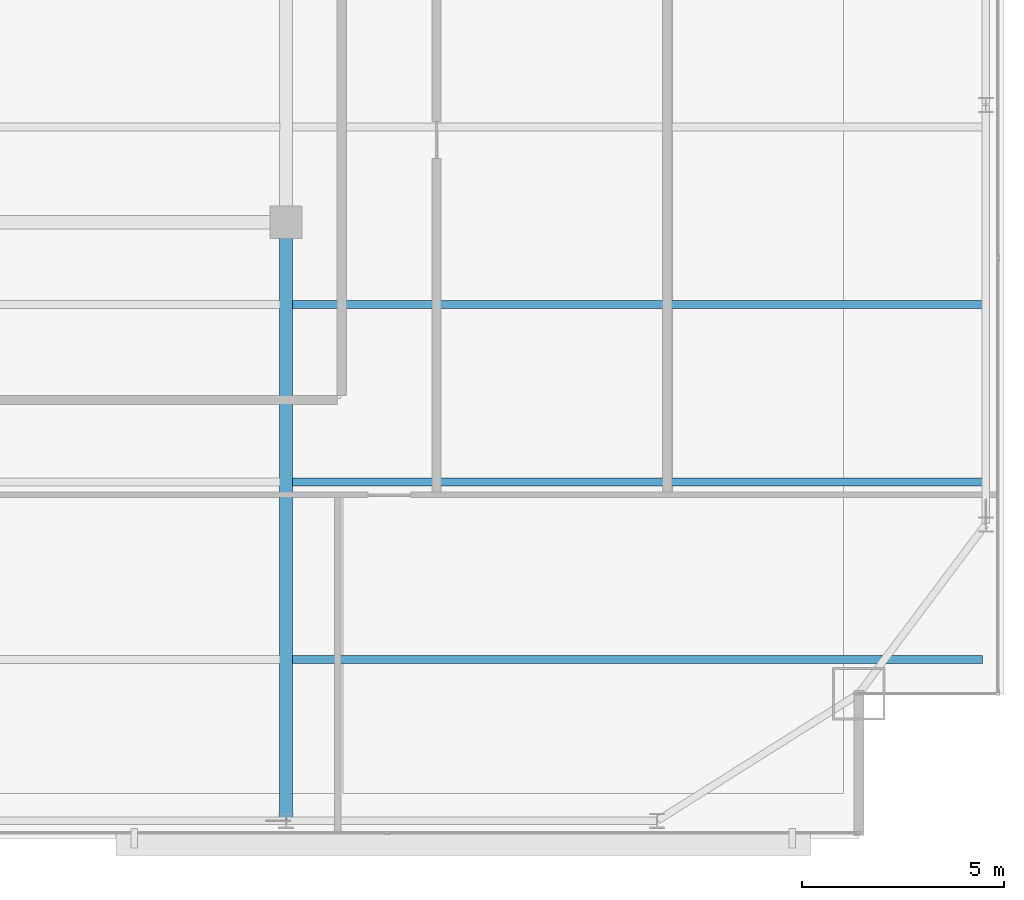
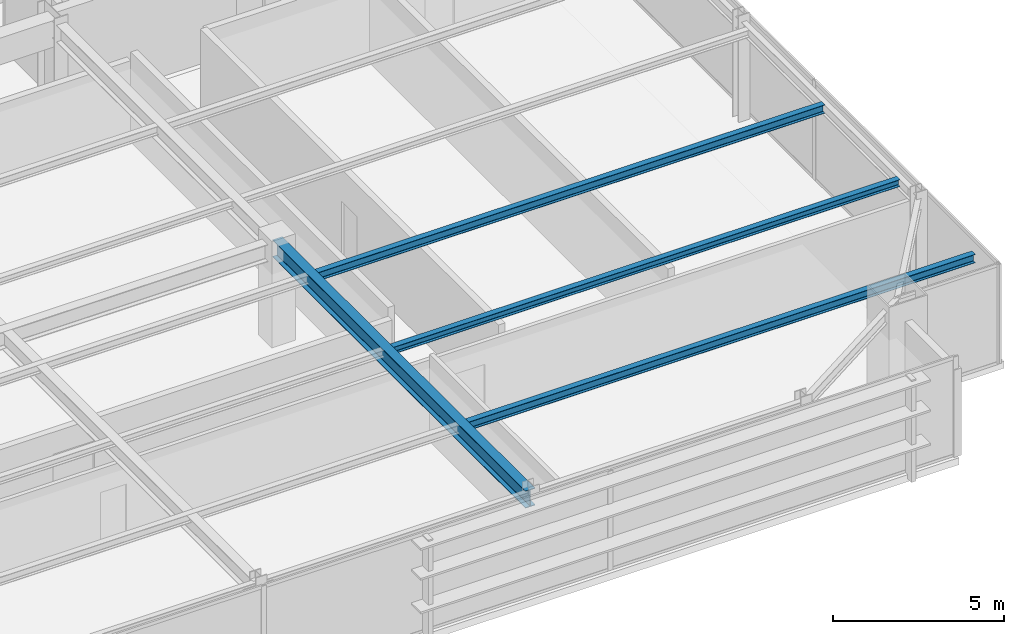
# One storey, part 14 of 29: 4 beams.
"""IFC4 building model written with IfcOpenShell, lengths in metres."""

from ifc_helpers import new_model, si_unit, direction, frame, origin, origin_2d, place, context, subcontext, project, spatial, i_section, extrude, source, transform, mapped, material, material_profile, profile_set, type_object, type_shapes, element, save


model = new_model("IFC4")

# Units and contexts
model_context = context("Model", 3, precision=1e-05, world=origin(), true_north=direction((0.0, 1.0)))
body_context = subcontext(model_context, "Body", "Model", "MODEL_VIEW")
ifc_project = project(units=[si_unit("LENGTHUNIT", "METRE"), si_unit("AREAUNIT", "SQUARE_METRE"), si_unit("VOLUMEUNIT", "CUBIC_METRE"), si_unit("PLANEANGLEUNIT", "RADIAN"), si_unit("MASSUNIT", "GRAM", prefix="KILO")], contexts=[model_context])

# Site, building, storey
site_placement = place(None, origin())
site = spatial("IfcSite", under=ifc_project, at=site_placement, CompositionType="ELEMENT")
building_placement = place(site_placement, origin())
building = spatial("IfcBuilding", under=site, at=building_placement, Name="Varnel Quay Broadcast Tower", CompositionType="ELEMENT")
storey_placement = place(building_placement, frame((0.0, 0.0, 172.39990234375)))
storey = spatial("IfcBuildingStorey", under=building, at=storey_placement, Name="L42", CompositionType="ELEMENT", Elevation=172.39990234375)

# Beams
ifc_material = material(Name="Structural Steel CSA G40.21 350W", Category="steel")
ifc_material_profile_1 = material_profile(ifc_material, i_section(OverallWidth=0.324951171875, OverallDepth=0.615966796875, WebThickness=0.013916015625, FlangeThickness=0.021484375, FilletRadius=0.01611328125, at=origin_2d()), Name="W610X174")
ifc_profile_set_1 = profile_set([ifc_material_profile_1], Name="Structural Steel CSA G40.21 350W")
beam_type_1 = type_object("IfcBeamType", Name="Girder_W610X174", PredefinedType="BEAM", material=ifc_profile_set_1)
shared_shape_1 = source(origin(), body_context, "Body", "SweptSolid", [
    extrude(i_section(OverallWidth=0.324951171875, OverallDepth=0.615966796875, WebThickness=0.013916015625, FlangeThickness=0.021484375, FilletRadius=0.01611328125, at=origin_2d()), origin(), (0.0, 0.0, 1.0), 14.800048828125),
])
type_shapes(beam_type_1, [shared_shape_1])
beam_1_placement = place(storey_placement, frame((43.199951171875, 7.669921875, 3.2421875), z_axis=(0.0, 1.0, 0.0), x_axis=(-1.0, 0.0, 0.0)))
element("IfcBeam", 1, at=beam_1_placement, inside=storey, type_object=beam_type_1, Name="L42 Primary Girder TC-S4-IC-02", PredefinedType="BEAM", context=body_context, shape_type="MappedRepresentation", body=[
    mapped(shared_shape_1, transform((0.0, 0.0, 0.0), x_axis=(1.0, 0.0, 0.0), y_axis=(0.0, 1.0, 0.0), z_axis=(0.0, 0.0, 1.0), scale=1.0)),
])
ifc_material_profile_2 = material_profile(ifc_material, i_section(OverallWidth=0.202880859375, OverallDepth=0.302978515625, WebThickness=0.007568359375, FlangeThickness=0.01318359375, FilletRadius=0.011962890625, at=origin_2d()), Name="W310X60")
ifc_profile_set_2 = profile_set([ifc_material_profile_2], Name="Structural Steel CSA G40.21 350W")
beam_type_2 = type_object("IfcBeamType", Name="Beam_W310X60", PredefinedType="JOIST", material=ifc_profile_set_2)
shared_shape_2 = source(origin(), body_context, "Body", "SweptSolid", [
    extrude(i_section(OverallWidth=0.202880859375, OverallDepth=0.302978515625, WebThickness=0.007568359375, FlangeThickness=0.01318359375, FilletRadius=0.011962890625, at=origin_2d()), origin(), (0.0, 0.0, 1.0), 17.107177734375),
])
type_shapes(beam_type_2, [shared_shape_2])
for number, where, z_axis, x_axis, name in (
    (2, (43.357421875, 11.64990234375, 3.398681640625), (1.0, 0.0, 0.0), (0.0, 1.0, 0.0), "L42 East Floor Joist 1"),
    (3, (43.357421875, 20.449951171875, 3.398681640625), (1.0, 0.0, 0.0), (0.0, 1.0, 0.0), "L42 East Floor Joist 3"),
):
    element("IfcBeam", number, at=place(storey_placement, frame(where, z_axis=z_axis, x_axis=x_axis)), inside=storey, type_object=beam_type_2, Name=name, PredefinedType="JOIST", context=body_context, shape_type="MappedRepresentation", body=[
        mapped(shared_shape_2, transform((0.0, 0.0, 0.0), x_axis=(1.0, 0.0, 0.0), y_axis=(0.0, 1.0, 0.0), z_axis=(0.0, 0.0, 1.0), scale=1.0)),
    ])
ifc_material_profile_3 = material_profile(ifc_material, i_section(OverallWidth=0.201904296875, OverallDepth=0.2470703125, WebThickness=0.00732421875, FlangeThickness=0.010986328125, FilletRadius=0.010986328125, at=origin_2d()), Name="W250X49")
ifc_profile_set_3 = profile_set([ifc_material_profile_3], Name="Structural Steel CSA G40.21 350W")
beam_type_3 = type_object("IfcBeamType", Name="Beam_W250X49", PredefinedType="JOIST", material=ifc_profile_set_3)
shared_shape_3 = source(origin(), body_context, "Body", "SweptSolid", [
    extrude(i_section(OverallWidth=0.201904296875, OverallDepth=0.2470703125, WebThickness=0.00732421875, FlangeThickness=0.010986328125, FilletRadius=0.010986328125, at=origin_2d()), origin(), (0.0, 0.0, 1.0), 17.107177734375),
])
type_shapes(beam_type_3, [shared_shape_3])
beam_2_placement = place(storey_placement, frame((43.357421875, 16.050048828125, 3.426513671875), z_axis=(1.0, 0.0, 0.0), x_axis=(0.0, 1.0, 0.0)))
element("IfcBeam", 4, at=beam_2_placement, inside=storey, type_object=beam_type_3, Name="L42 East Floor Joist 2", PredefinedType="JOIST", context=body_context, shape_type="MappedRepresentation", body=[
    mapped(shared_shape_3, transform((0.0, 0.0, 0.0), x_axis=(1.0, 0.0, 0.0), y_axis=(0.0, 1.0, 0.0), z_axis=(0.0, 0.0, 1.0), scale=1.0)),
])

save(model, "model.ifc")
